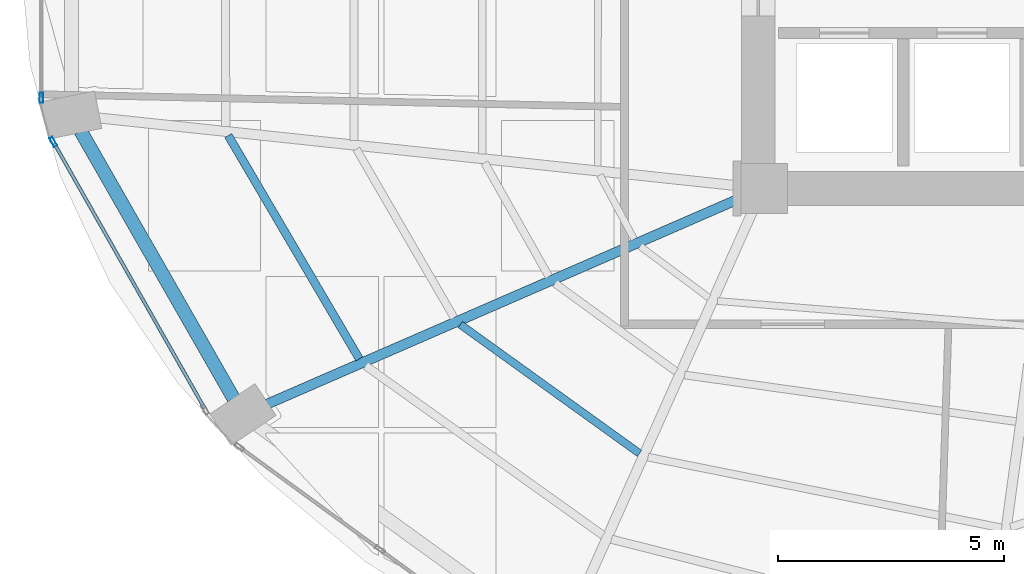
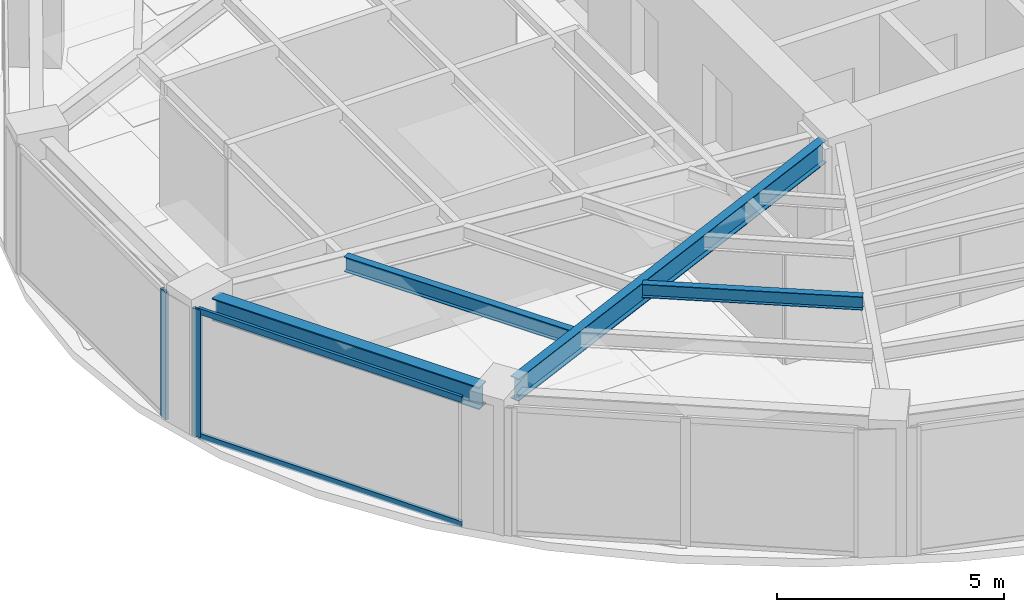
# One storey, part 3 of 23: 4 beams, 4 members, 2 elements without a shape of their own.
"""IFC4 building model written with IfcOpenShell, lengths in metres."""

from ifc_helpers import new_model, si_unit, direction, frame, origin, origin_2d, place, context, subcontext, project, spatial, hollow_rectangle, i_section, extrude, material, layer, layer_set, material_profile, profile_set, type_object, element, aggregate, save


model = new_model("IFC4")

# Units and contexts
model_context = context("Model", 3, precision=1e-05, world=origin(), true_north=direction((0.0, 1.0)))
body_context = subcontext(model_context, "Body", "Model", "MODEL_VIEW")
ifc_project = project(units=[si_unit("LENGTHUNIT", "METRE"), si_unit("AREAUNIT", "SQUARE_METRE"), si_unit("VOLUMEUNIT", "CUBIC_METRE"), si_unit("PLANEANGLEUNIT", "RADIAN"), si_unit("MASSUNIT", "GRAM", prefix="KILO")], contexts=[model_context])

# Site, building, storey
site_placement = place(None, origin())
site = spatial("IfcSite", under=ifc_project, at=site_placement, CompositionType="ELEMENT")
building_placement = place(site_placement, origin())
building = spatial("IfcBuilding", under=site, at=building_placement, Name="Lazwardi Medical Tower", CompositionType="ELEMENT")
storey_placement = place(building_placement, frame((0.0, 0.0, 107.280029296875)))
storey = spatial("IfcBuildingStorey", under=building, at=storey_placement, Name="L27", CompositionType="ELEMENT", Elevation=107.280029296875)

# Beams
ifc_material_1 = material(Name="Steel S355", Category="steel")
ifc_material_profile_1 = material_profile(ifc_material_1, i_section(OverallWidth=0.300048828125, OverallDepth=0.60009765625, WebThickness=0.015380859375, FlangeThickness=0.030029296875, at=origin_2d()), Name="HEB 600")
ifc_profile_set_1 = profile_set([ifc_material_profile_1], Name="Steel S355")
beam_type_1 = type_object("IfcBeamType", Name="BM-RB-Z2", PredefinedType="BEAM", material=ifc_profile_set_1)
beam_1_placement = place(storey_placement, frame((11.3408203125, 21.664306640625, 3.1279296875), z_axis=(0.496637551254, -0.867958030486, 0.0), x_axis=(0.867958030486, 0.496637551254, 0.0)))
element("IfcBeam", 1, at=beam_1_placement, inside=storey, type_object=beam_type_1, Name="Ring beam RB-03 B13 L27", PredefinedType="BEAM", context=body_context, shape_type="SweptSolid", body=[
    extrude(i_section(OverallWidth=0.300048828125, OverallDepth=0.60009765625, WebThickness=0.015380859375, FlangeThickness=0.030029296875, at=origin_2d()), origin(), (0.0, 0.0, 1.0), 6.801025390625),
])
ifc_material_profile_2 = material_profile(ifc_material_1, i_section(OverallWidth=0.219970703125, OverallDepth=0.60009765625, WebThickness=0.011962890625, FlangeThickness=0.01904296875, at=origin_2d()), Name="IPE 600")
ifc_profile_set_2 = profile_set([ifc_material_profile_2], Name="Steel S355")
beam_type_2 = type_object("IfcBeamType", Name="BM-RG-W1", PredefinedType="BEAM", material=ifc_profile_set_2)
beam_2_placement = place(storey_placement, frame((15.4541015625, 15.63671875, 3.1279296875), z_axis=(0.916941336121, 0.399022037127, 0.0), x_axis=(-0.399022037127, 0.916941336121, 0.0)))
element("IfcBeam", 2, at=beam_2_placement, inside=storey, type_object=beam_type_2, Name="Radial girder RG-02 R14 L27", PredefinedType="BEAM", context=body_context, shape_type="SweptSolid", body=[
    extrude(i_section(OverallWidth=0.219970703125, OverallDepth=0.60009765625, WebThickness=0.011962890625, FlangeThickness=0.01904296875, at=origin_2d()), origin(), (0.0, 0.0, 1.0), 11.40234375),
])
ifc_material_profile_3 = material_profile(ifc_material_1, i_section(OverallWidth=0.179931640625, OverallDepth=0.39990234375, WebThickness=0.008544921875, FlangeThickness=0.013427734375, at=origin_2d()), Name="IPE 400")
ifc_profile_set_3 = profile_set([ifc_material_profile_3], Name="Steel S355")
beam_type_3 = type_object("IfcBeamType", Name="BM-SJ-01", PredefinedType="JOIST", material=ifc_profile_set_3)
beam_3_placement = place(storey_placement, frame((14.597900390625, 21.56787109375, 3.22802734375), z_axis=(0.506195045201, -0.862419025888, 0.0), x_axis=(0.862419025888, 0.506195045201, 0.0)))
element("IfcBeam", 3, at=beam_3_placement, inside=storey, type_object=beam_type_3, Name="Secondary joist SJ-01 R1 B13 L27", PredefinedType="JOIST", context=body_context, shape_type="SweptSolid", body=[
    extrude(i_section(OverallWidth=0.179931640625, OverallDepth=0.39990234375, WebThickness=0.008544921875, FlangeThickness=0.013427734375, at=origin_2d()), origin(), (0.0, 0.0, 1.0), 5.71728515625),
])
ifc_material_profile_4 = material_profile(ifc_material_1, i_section(OverallWidth=0.169921875, OverallDepth=0.360107421875, WebThickness=0.008056640625, FlangeThickness=0.0126953125, at=origin_2d()), Name="IPE 360")
ifc_profile_set_4 = profile_set([ifc_material_profile_4], Name="Steel S355")
beam_type_4 = type_object("IfcBeamType", Name="BM-SJ-02", PredefinedType="JOIST", material=ifc_profile_set_4)
beam_4_placement = place(storey_placement, frame((19.721435546875, 17.395263671875, 3.248046875), z_axis=(0.811888517177, -0.583812500446, 0.0), x_axis=(0.583812500446, 0.811888517177, 0.0)))
element("IfcBeam", 4, at=beam_4_placement, inside=storey, type_object=beam_type_4, Name="Secondary joist SJ-02 R2 B14 L27", PredefinedType="JOIST", context=body_context, shape_type="SweptSolid", body=[
    extrude(i_section(OverallWidth=0.169921875, OverallDepth=0.360107421875, WebThickness=0.008056640625, FlangeThickness=0.0126953125, at=origin_2d()), origin(), (0.0, 0.0, 1.0), 4.874755859375),
])

# Curtain wall, member
ifc_material_2 = material(Name="Anodised bronze aluminium and solar control glazing", Category="aluminium")
ifc_layer = layer(ifc_material_2, 0.195068359375)
ifc_layer_set = layer_set([ifc_layer], Name="Anodised bronze aluminium and solar control glazing")
curtain_wall_type = type_object("IfcCurtainWallType", Name="CW-SYS-03", PredefinedType="NOTDEFINED", material=ifc_layer_set)
curtain_wall_1_placement = place(storey_placement, origin())
curtain_wall_1 = element("IfcCurtainWall", 5, at=curtain_wall_1_placement, inside=storey, type_object=curtain_wall_type, Name="L27 Unitised bronze curtain wall CW-03", PredefinedType="NOTDEFINED")
ifc_material_3 = material(Name="Anodised bronze aluminium", Category="aluminium")
ifc_material_profile_5 = material_profile(ifc_material_3, hollow_rectangle(XDim=0.074951171875, YDim=0.219970703125, WallThickness=0.00390625, at=origin_2d()), Name="ALU-MULLION 220x75x4")
ifc_profile_set_5 = profile_set([ifc_material_profile_5], Name="Anodised bronze aluminium")
member_type_1 = type_object("IfcMemberType", Name="CW-MUL-01", PredefinedType="MULLION", material=ifc_profile_set_5)
member_1_placement = place(storey_placement, frame((10.471923828125, 22.402587890625, 0.0), z_axis=(0.0, 0.0, 1.0), x_axis=(1.0, 0.0, 0.0)))
member_1 = element("IfcMember", 6, at=member_1_placement, type_object=member_type_1, Name="CW-03 mullion 2", PredefinedType="MULLION", context=body_context, shape_type="SweptSolid", body=[
    extrude(hollow_rectangle(XDim=0.074951171875, YDim=0.219970703125, WallThickness=0.00390625, at=origin_2d()), origin(), (0.0, 0.0, 1.0), 3.427978515625),
])
aggregate(curtain_wall_1, [member_1])

# Curtain wall, members
curtain_wall_2_placement = place(storey_placement, origin())
curtain_wall_2 = element("IfcCurtainWall", 7, at=curtain_wall_2_placement, inside=storey, type_object=curtain_wall_type, Name="L27 Unitised bronze curtain wall CW-03", PredefinedType="NOTDEFINED")
member_2_placement = place(storey_placement, frame((10.7373046875, 21.42626953125, 0.0), z_axis=(0.0, 0.0, 1.0), x_axis=(0.869687265712, 0.493603140041, 0.0)))
member_2 = element("IfcMember", 8, at=member_2_placement, type_object=member_type_1, Name="CW-03 mullion 1", PredefinedType="MULLION", context=body_context, shape_type="SweptSolid", body=[
    extrude(hollow_rectangle(XDim=0.074951171875, YDim=0.219970703125, WallThickness=0.00390625, at=origin_2d()), origin(), (0.0, 0.0, 1.0), 3.427978515625),
])
ifc_material_profile_6 = material_profile(ifc_material_3, hollow_rectangle(XDim=0.074951171875, YDim=0.159912109375, WallThickness=0.00390625, at=origin_2d()), Name="ALU-TRANSOM 160x75x4")
ifc_profile_set_6 = profile_set([ifc_material_profile_6], Name="Anodised bronze aluminium")
member_type_2 = type_object("IfcMemberType", Name="CW-TRN-01", PredefinedType="USERDEFINED", material=ifc_profile_set_6)
member_3_placement = place(storey_placement, frame((10.755859375, 21.3935546875, 0.037353515625), z_axis=(0.493614427365, -0.869680859337, 0.0), x_axis=(0.869680859337, 0.493614427365, 0.0)))
member_3 = element("IfcMember", 9, at=member_3_placement, type_object=member_type_2, Name="CW-03 transom 1.1", ObjectType="TRANSOM", PredefinedType="USERDEFINED", context=body_context, shape_type="SweptSolid", body=[
    extrude(hollow_rectangle(XDim=0.074951171875, YDim=0.159912109375, WallThickness=0.00390625, at=origin_2d()), origin(), (0.0, 0.0, 1.0), 6.72314453125),
])
member_4_placement = place(storey_placement, frame((10.755859375, 21.3935546875, 3.390380859375), z_axis=(0.493614427365, -0.869680859337, 0.0), x_axis=(0.869680859337, 0.493614427365, 0.0)))
member_4 = element("IfcMember", 10, at=member_4_placement, type_object=member_type_2, Name="CW-03 transom 1.2", ObjectType="TRANSOM", PredefinedType="USERDEFINED", context=body_context, shape_type="SweptSolid", body=[
    extrude(hollow_rectangle(XDim=0.074951171875, YDim=0.159912109375, WallThickness=0.00390625, at=origin_2d()), origin(), (0.0, 0.0, 1.0), 6.72314453125),
])
aggregate(curtain_wall_2, [member_2, member_3, member_4])

save(model, "model.ifc")
